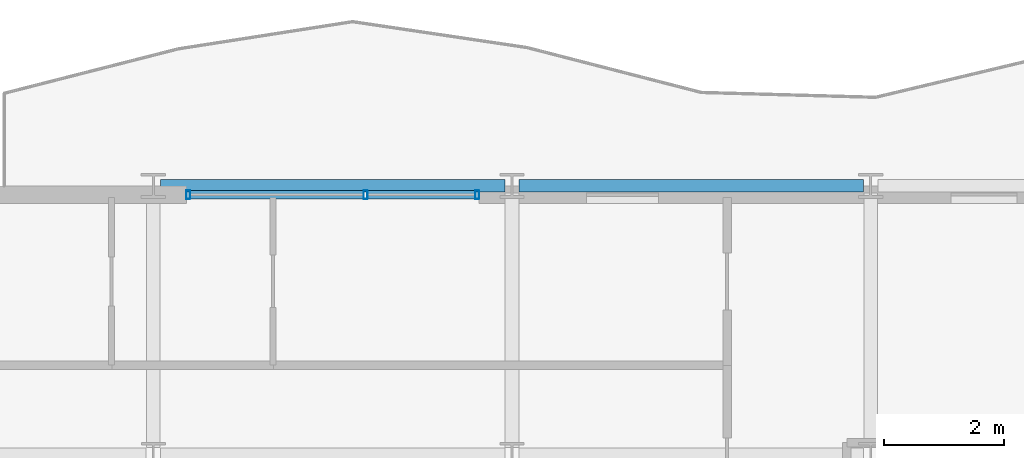
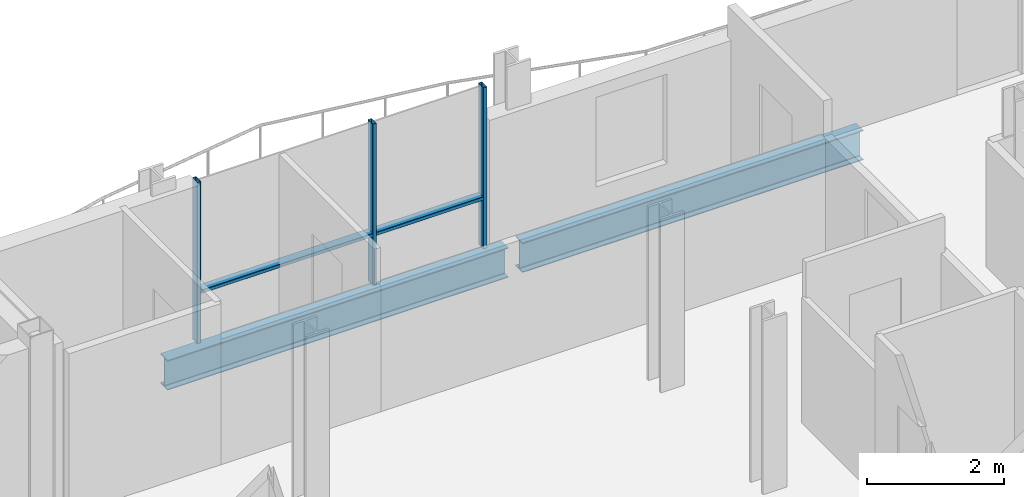
# One storey, part 23 of 41: 5 members, 2 beams, 1 element without a shape of its own.
"""IFC4 building model written with IfcOpenShell, lengths in metres."""

from ifc_helpers import new_model, si_unit, direction, frame, origin, origin_2d, place, context, subcontext, project, spatial, hollow_rectangle, i_section, extrude, material, layer, layer_set, material_profile, profile_set, type_object, element, aggregate, save


model = new_model("IFC4")

# Units and contexts
model_context = context("Model", 3, precision=1e-05, world=origin(), true_north=direction((0.0, 1.0)))
body_context = subcontext(model_context, "Body", "Model", "MODEL_VIEW")
ifc_project = project(units=[si_unit("LENGTHUNIT", "METRE"), si_unit("AREAUNIT", "SQUARE_METRE"), si_unit("VOLUMEUNIT", "CUBIC_METRE"), si_unit("PLANEANGLEUNIT", "RADIAN"), si_unit("MASSUNIT", "GRAM", prefix="KILO")], contexts=[model_context])

# Site, building, storey
site_placement = place(None, origin())
site = spatial("IfcSite", under=ifc_project, at=site_placement, CompositionType="ELEMENT")
building_placement = place(site_placement, origin())
building = spatial("IfcBuilding", under=site, at=building_placement, Name="Brevholm Reach", CompositionType="ELEMENT")
storey_placement = place(building_placement, frame((0.0, 0.0, 144.89990234375)))
storey = spatial("IfcBuildingStorey", under=building, at=storey_placement, Name="L43", CompositionType="ELEMENT", Elevation=144.89990234375)

# Beams
ifc_material_1 = material(Name="Structural Steel S355J2", Category="steel")
ifc_material_profile_1 = material_profile(ifc_material_1, i_section(OverallWidth=0.209228515625, OverallDepth=0.533203125, WebThickness=0.010009765625, FlangeThickness=0.015625, FilletRadius=0.0126953125, at=origin_2d()), Name="UKB 533x210x92")
ifc_profile_set_1 = profile_set([ifc_material_profile_1], Name="Structural Steel S355J2")
beam_type = type_object("IfcBeamType", Name="BM-SP533", PredefinedType="SPANDREL", material=ifc_profile_set_1)
for number, where, z_axis, x_axis, name in (
    (1, (6.1201171875, 31.0, -0.486572265625), (1.0, 0.0, 0.0), (0.0, 1.0, 0.0), "L43 SP-02 Framing Beam"),
    (2, (12.1201171875, 31.0, -0.486572265625), (1.0, 0.0, 0.0), (0.0, 1.0, 0.0), "L43 SP-02 Framing Beam"),
):
    element("IfcBeam", number, at=place(storey_placement, frame(where, z_axis=z_axis, x_axis=x_axis)), inside=storey, type_object=beam_type, Name=name, PredefinedType="SPANDREL", context=body_context, shape_type="SweptSolid", body=[
        extrude(i_section(OverallWidth=0.209228515625, OverallDepth=0.533203125, WebThickness=0.010009765625, FlangeThickness=0.015625, FilletRadius=0.0126953125, at=origin_2d()), origin(), (0.0, 0.0, 1.0), 5.759765625),
    ])

# Curtain wall, members
ifc_material_2 = material(Name="Dark Anodised Aluminium 6063-T6 and Solar-Control Glass", Category="aluminium")
ifc_layer = layer(ifc_material_2, 0.14990234375)
ifc_layer_set = layer_set([ifc_layer], Name="Dark Anodised Aluminium 6063-T6 and Solar-Control Glass")
curtain_wall_type = type_object("IfcCurtainWallType", Name="CW-01", PredefinedType="NOTDEFINED", material=ifc_layer_set)
curtain_wall_placement = place(storey_placement, origin())
curtain_wall = element("IfcCurtainWall", 3, at=curtain_wall_placement, inside=storey, type_object=curtain_wall_type, Name="L43 Curtain Wall CW-01", PredefinedType="NOTDEFINED")
ifc_material_3 = material(Name="Dark Anodised Aluminium 6063-T6", Category="aluminium")
ifc_material_profile_2 = material_profile(ifc_material_3, hollow_rectangle(XDim=0.06494140625, YDim=0.14990234375, WallThickness=0.0048828125, InnerFilletRadius=0.0048828125, OuterFilletRadius=0.010009765625, at=origin_2d()), Name="RHS 150x65x5")
ifc_profile_set_2 = profile_set([ifc_material_profile_2], Name="Dark Anodised Aluminium 6063-T6")
member_type_1 = type_object("IfcMemberType", Name="CWM-150", PredefinedType="MULLION", material=ifc_profile_set_2)
member_1_placement = place(storey_placement, frame((6.58251953125, 30.85009765625, 0.0), z_axis=(0.0, 0.0, 1.0), x_axis=(1.0, 0.0, 0.0)))
member_1 = element("IfcMember", 4, at=member_1_placement, type_object=member_type_1, Name="CM-150 Mullion 1", PredefinedType="MULLION", context=body_context, shape_type="SweptSolid", body=[
    extrude(hollow_rectangle(XDim=0.06494140625, YDim=0.14990234375, WallThickness=0.0048828125, InnerFilletRadius=0.0048828125, OuterFilletRadius=0.010009765625, at=origin_2d()), origin(), (0.0, 0.0, 1.0), 2.880126953125),
])
member_2_placement = place(storey_placement, frame((9.550048828125, 30.85009765625, 0.0), z_axis=(0.0, 0.0, 1.0), x_axis=(1.0, 0.0, 0.0)))
member_2 = element("IfcMember", 5, at=member_2_placement, type_object=member_type_1, Name="CM-150 Mullion 2", PredefinedType="MULLION", context=body_context, shape_type="SweptSolid", body=[
    extrude(hollow_rectangle(XDim=0.06494140625, YDim=0.14990234375, WallThickness=0.0048828125, InnerFilletRadius=0.0048828125, OuterFilletRadius=0.010009765625, at=origin_2d()), origin(), (0.0, 0.0, 1.0), 2.880126953125),
])
member_3_placement = place(storey_placement, frame((11.41748046875, 30.85009765625, 0.0), z_axis=(0.0, 0.0, 1.0), x_axis=(1.0, 0.0, 0.0)))
member_3 = element("IfcMember", 6, at=member_3_placement, type_object=member_type_1, Name="CM-150 Mullion 3", PredefinedType="MULLION", context=body_context, shape_type="SweptSolid", body=[
    extrude(hollow_rectangle(XDim=0.06494140625, YDim=0.14990234375, WallThickness=0.0048828125, InnerFilletRadius=0.0048828125, OuterFilletRadius=0.010009765625, at=origin_2d()), origin(), (0.0, 0.0, 1.0), 2.880126953125),
])
ifc_material_4 = material(Name="Dark Anodised Aluminium 6063-T6", Category="aluminium")
ifc_material_profile_3 = material_profile(ifc_material_4, hollow_rectangle(XDim=0.06494140625, YDim=0.14990234375, WallThickness=0.0048828125, InnerFilletRadius=0.0048828125, OuterFilletRadius=0.010009765625, at=origin_2d()), Name="RHS 150x65x5")
ifc_profile_set_3 = profile_set([ifc_material_profile_3], Name="Dark Anodised Aluminium 6063-T6")
member_type_2 = type_object("IfcMemberType", Name="CWT-150", PredefinedType="NOTDEFINED", material=ifc_profile_set_3)
member_4_placement = place(storey_placement, frame((6.614990234375, 30.85009765625, 0.900146484375), z_axis=(1.0, 0.0, 0.0), x_axis=(0.0, 0.0, 1.0)))
member_4 = element("IfcMember", 7, at=member_4_placement, type_object=member_type_2, Name="CT-150 Transom 1.1", ObjectType="TRANSOM", PredefinedType="USERDEFINED", context=body_context, shape_type="SweptSolid", body=[
    extrude(hollow_rectangle(XDim=0.06494140625, YDim=0.14990234375, WallThickness=0.0048828125, InnerFilletRadius=0.0048828125, OuterFilletRadius=0.010009765625, at=origin_2d()), origin(), (0.0, 0.0, 1.0), 2.902587890625),
])
member_5_placement = place(storey_placement, frame((9.58251953125, 30.85009765625, 0.900146484375), z_axis=(1.0, 0.0, 0.0), x_axis=(0.0, 0.0, 1.0)))
member_5 = element("IfcMember", 8, at=member_5_placement, type_object=member_type_2, Name="CT-150 Transom 2.1", ObjectType="TRANSOM", PredefinedType="USERDEFINED", context=body_context, shape_type="SweptSolid", body=[
    extrude(hollow_rectangle(XDim=0.06494140625, YDim=0.14990234375, WallThickness=0.0048828125, InnerFilletRadius=0.0048828125, OuterFilletRadius=0.010009765625, at=origin_2d()), origin(), (0.0, 0.0, 1.0), 1.802490234375),
])
aggregate(curtain_wall, [member_1, member_2, member_3, member_4, member_5])

save(model, "model.ifc")
